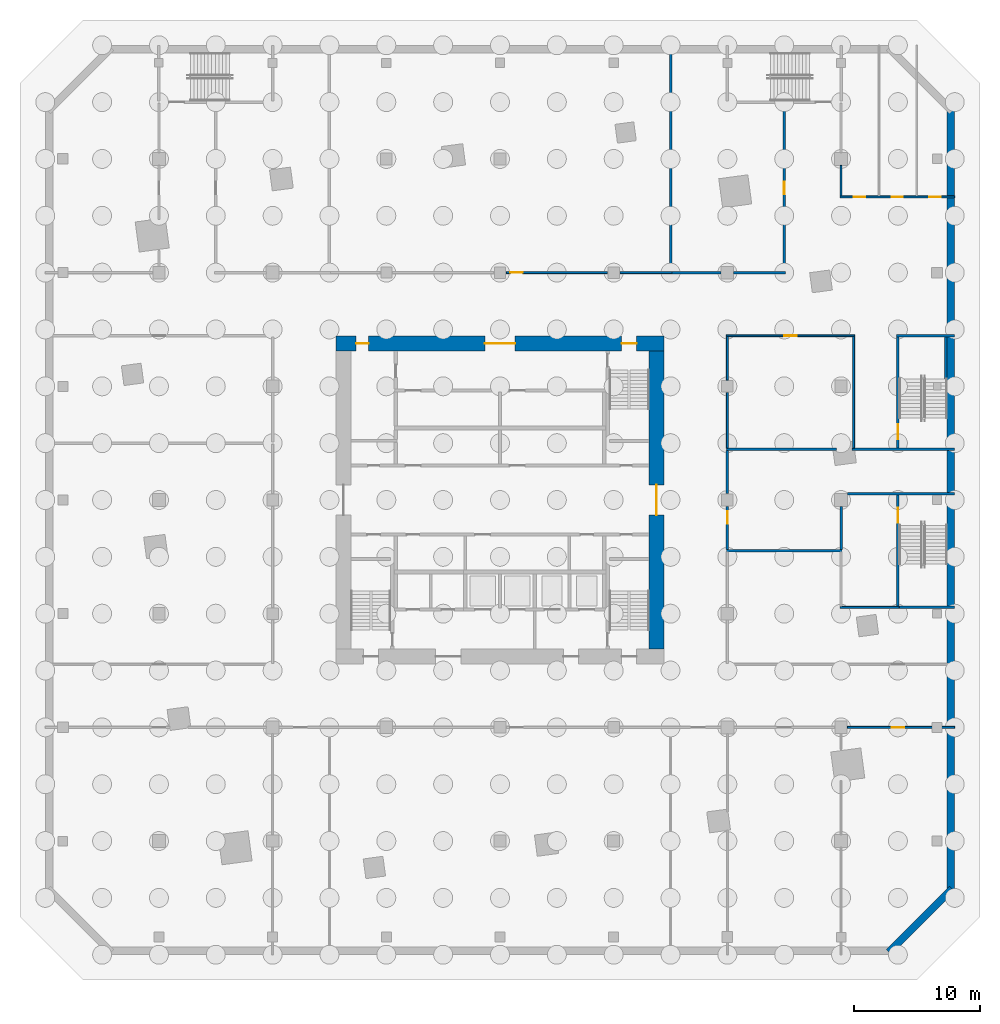
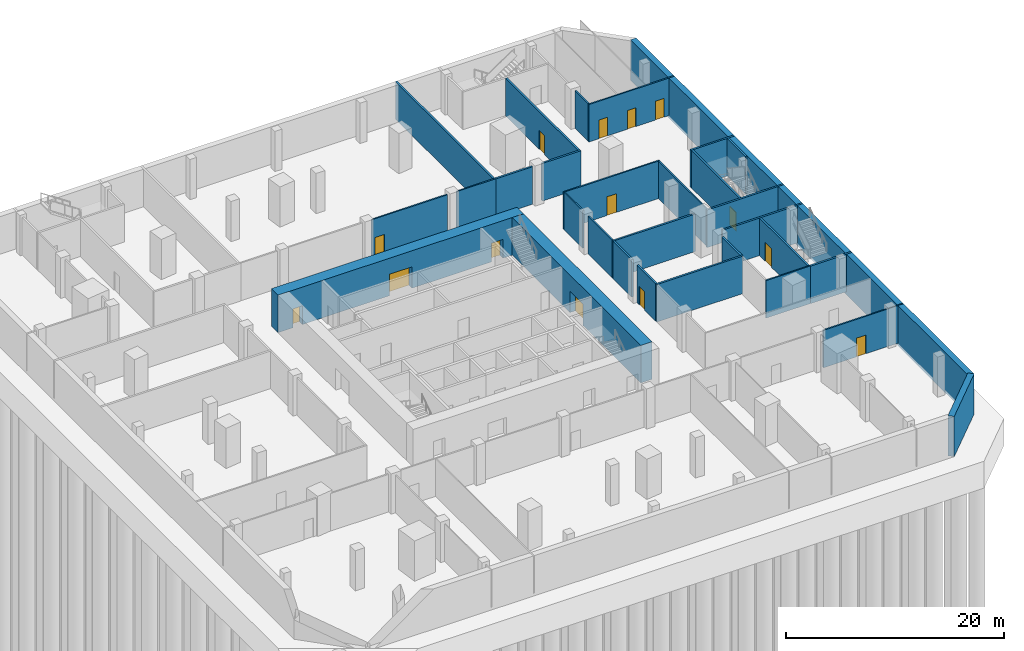
# One storey, part 6 of 12: 30 walls, 14 doors, 14 openings.
"""IFC4 building model written with IfcOpenShell, lengths in metres."""

from ifc_helpers import new_model, si_unit, direction, frame, frame_2d, origin, place, context, subcontext, project, spatial, rectangle, extrude, material, layer, layer_set, type_object, element, fill, save


model = new_model("IFC4")

# Units and contexts
model_context = context("Model", 3, precision=1e-05, world=origin(), true_north=direction((0.0, 1.0)))
body_context = subcontext(model_context, "Body", "Model", "MODEL_VIEW")
ifc_project = project(units=[si_unit("LENGTHUNIT", "METRE"), si_unit("AREAUNIT", "SQUARE_METRE"), si_unit("VOLUMEUNIT", "CUBIC_METRE"), si_unit("PLANEANGLEUNIT", "RADIAN"), si_unit("MASSUNIT", "GRAM", prefix="KILO")], contexts=[model_context])

# Site, building, storey
site_placement = place(None, origin())
site = spatial("IfcSite", under=ifc_project, at=site_placement, CompositionType="ELEMENT")
building_placement = place(site_placement, origin())
building = spatial("IfcBuilding", under=site, at=building_placement, Name="Dilmun Exchange Tower", CompositionType="ELEMENT")
storey_placement = place(building_placement, frame((0.0, 0.0, -9.0)))
storey = spatial("IfcBuildingStorey", under=building, at=storey_placement, Name="B2", CompositionType="ELEMENT", Elevation=-9.0)

# Wall, openings, doors
ifc_material_1 = material(Name="Concrete C80/95", Category="concrete")
ifc_layer_1 = layer(ifc_material_1, 1.199951171875)
ifc_layer_set_1 = layer_set([ifc_layer_1], Name="Concrete C80/95")
wall_type_1 = type_object("IfcWallType", Name="Core shear wall 1200 Concrete C80/95", PredefinedType="SHEAR", material=ifc_layer_set_1)
wall_1_placement = place(storey_placement, frame((-13.0, 12.39990234375, 0.0), z_axis=(0.0, 0.0, 1.0), x_axis=(1.0, 0.0, 0.0)))
wall_1 = element("IfcWall", 1, at=wall_1_placement, inside=storey, type_object=wall_type_1, Name="B2 core shear wall N", PredefinedType="SHEAR", context=body_context, shape_type="SweptSolid", body=[
    extrude(rectangle(XDim=26.0, YDim=1.199951171875, at=frame_2d((13.0, 0.0))), origin(), (0.0, 0.0, 1.0), 4.199951171875),
])
opening_1_placement = place(wall_1_placement, frame((11.800048828125, 0.0, 0.0)))
opening_1 = element("IfcOpeningElement", 2, at=opening_1_placement, cuts=wall_1, Name="Opening CD1", PredefinedType="OPENING", context=body_context, shape_type="SweptSolid", body=[
    extrude(rectangle(XDim=2.39990234375, YDim=2.39990234375, at=frame_2d((1.199951171875, 1.199951171875))), frame((0.0, 0.60986328125, 0.0), z_axis=(0.0, -1.0, 0.0), x_axis=(1.0, 0.0, 0.0)), (0.0, 0.0, 1.0), 1.219970703125),
])
opening_2_placement = place(wall_1_placement, frame((22.625, 0.0, 0.0)))
opening_2 = element("IfcOpeningElement", 3, at=opening_2_placement, cuts=wall_1, Name="Opening CD3", PredefinedType="OPENING", context=body_context, shape_type="SweptSolid", body=[
    extrude(rectangle(XDim=1.199951171875, YDim=2.10009765625, at=frame_2d((0.60009765625, 1.050048828125))), frame((0.0, 0.60986328125, 0.0), z_axis=(0.0, -1.0, 0.0), x_axis=(1.0, 0.0, 0.0)), (0.0, 0.0, 1.0), 1.219970703125),
])
opening_3_placement = place(wall_1_placement, frame((1.60009765625, 0.0, 0.0)))
opening_3 = element("IfcOpeningElement", 4, at=opening_3_placement, cuts=wall_1, Name="Opening CD4", PredefinedType="OPENING", context=body_context, shape_type="SweptSolid", body=[
    extrude(rectangle(XDim=1.0, YDim=2.10009765625, at=frame_2d((0.5, 1.050048828125))), frame((0.0, 0.60986328125, 0.0), z_axis=(0.0, -1.0, 0.0), x_axis=(1.0, 0.0, 0.0)), (0.0, 0.0, 1.0), 1.219970703125),
])
ifc_material_2 = material(Name="Fire-rated steel door set", Category="steel")
door_type_1 = type_object("IfcDoorType", Name="Core lobby door 2400x2400", OperationType="DOUBLE_DOOR_DOUBLE_SWING", PredefinedType="DOOR", material=ifc_material_2)
door_1_placement = place(opening_1_placement, origin())
door_1 = element("IfcDoor", 5, at=door_1_placement, inside=storey, type_object=door_type_1, Name="B2 door North lift lobby", OperationType="SINGLE_SWING_LEFT", OverallHeight=2.39990234375, OverallWidth=2.39990234375, PredefinedType="DOOR", context=body_context, shape_type="SweptSolid", body=[
    extrude(rectangle(XDim=2.39990234375, YDim=2.39990234375, at=frame_2d((1.199951171875, 1.199951171875))), frame((0.0, 0.02490234375, 0.0), z_axis=(0.0, -1.0, 0.0), x_axis=(1.0, 0.0, 0.0)), (0.0, 0.0, 1.0), 0.050048828125),
])
fill(opening_1, door_1)
door_type_2 = type_object("IfcDoorType", Name="Core room door 1000x2100", OperationType="SINGLE_SWING_LEFT", PredefinedType="DOOR", material=ifc_material_2)
door_2_placement = place(opening_3_placement, origin())
door_2 = element("IfcDoor", 6, at=door_2_placement, inside=storey, type_object=door_type_2, Name="B2 door North-west core rooms", OperationType="SINGLE_SWING_LEFT", OverallHeight=2.10009765625, OverallWidth=1.0, PredefinedType="DOOR", context=body_context, shape_type="SweptSolid", body=[
    extrude(rectangle(XDim=1.0, YDim=2.10009765625, at=frame_2d((0.5, 1.050048828125))), frame((0.0, 0.02490234375, 0.0), z_axis=(0.0, -1.0, 0.0), x_axis=(1.0, 0.0, 0.0)), (0.0, 0.0, 1.0), 0.050048828125),
])
fill(opening_3, door_2)
door_type_3 = type_object("IfcDoorType", Name="Stair exit door 1200x2100", OperationType="SINGLE_SWING_LEFT", PredefinedType="DOOR", material=ifc_material_2)
door_3_placement = place(opening_2_placement, origin())
door_3 = element("IfcDoor", 7, at=door_3_placement, inside=storey, type_object=door_type_3, Name="B2 door Stair ST1", OperationType="SINGLE_SWING_LEFT", OverallHeight=2.10009765625, OverallWidth=1.199951171875, PredefinedType="DOOR", context=body_context, shape_type="SweptSolid", body=[
    extrude(rectangle(XDim=1.199951171875, YDim=2.10009765625, at=frame_2d((0.60009765625, 1.050048828125))), frame((0.0, 0.02490234375, 0.0), z_axis=(0.0, -1.0, 0.0), x_axis=(1.0, 0.0, 0.0)), (0.0, 0.0, 1.0), 0.050048828125),
])
fill(opening_2, door_3)

# Wall, opening, door
wall_2_placement = place(storey_placement, frame((12.39990234375, -11.800048828125, 0.0), z_axis=(0.0, 0.0, 1.0), x_axis=(0.0, 1.0, 0.0)))
wall_2 = element("IfcWall", 8, at=wall_2_placement, inside=storey, type_object=wall_type_1, Name="B2 core shear wall E", PredefinedType="SHEAR", context=body_context, shape_type="SweptSolid", body=[
    extrude(rectangle(XDim=23.60009765625, YDim=1.199951171875, at=frame_2d((11.800048828125, 0.0))), origin(), (0.0, 0.0, 1.0), 4.199951171875),
])
opening_4_placement = place(wall_2_placement, frame((10.60009765625, 0.0, 0.0)))
opening_4 = element("IfcOpeningElement", 9, at=opening_4_placement, cuts=wall_2, Name="Opening CD1", PredefinedType="OPENING", context=body_context, shape_type="SweptSolid", body=[
    extrude(rectangle(XDim=2.39990234375, YDim=2.39990234375, at=frame_2d((1.199951171875, 1.199951171875))), frame((0.0, 0.60986328125, 0.0), z_axis=(0.0, -1.0, 0.0), x_axis=(1.0, 0.0, 0.0)), (0.0, 0.0, 1.0), 1.219970703125),
])
door_4_placement = place(opening_4_placement, origin())
door_4 = element("IfcDoor", 10, at=door_4_placement, inside=storey, type_object=door_type_1, Name="B2 door Central lift lobby", OperationType="SINGLE_SWING_LEFT", OverallHeight=2.39990234375, OverallWidth=2.39990234375, PredefinedType="DOOR", context=body_context, shape_type="SweptSolid", body=[
    extrude(rectangle(XDim=2.39990234375, YDim=2.39990234375, at=frame_2d((1.199951171875, 1.199951171875))), frame((0.0, 0.02490234375, 0.0), z_axis=(0.0, -1.0, 0.0), x_axis=(1.0, 0.0, 0.0)), (0.0, 0.0, 1.0), 0.050048828125),
])
fill(opening_4, door_4)

ifc_material_3 = material(Name="Fire partition EI 60 150 gypsum")
ifc_layer_2 = layer(ifc_material_3, 0.14990234375)
ifc_layer_set_2 = layer_set([ifc_layer_2], Name="Fire partition EI 60 150 gypsum")
wall_type_2 = type_object("IfcWallType", Name="Fire partition EI 60 150 gypsum", PredefinedType="PARTITIONING", material=ifc_layer_set_2)
wall_3_placement = place(storey_placement, frame((27.5, -18.0, 0.0), z_axis=(0.0, 0.0, 1.0), x_axis=(1.0, 0.0, 0.0)))
wall_3 = element("IfcWall", 11, at=wall_3_placement, inside=storey, type_object=wall_type_2, Name="B2 partition", PredefinedType="PARTITIONING", context=body_context, shape_type="SweptSolid", body=[
    extrude(rectangle(XDim=8.5, YDim=0.14990234375, at=frame_2d((4.25, 0.0))), origin(), (0.0, 0.0, 1.0), 4.199951171875),
])
opening_5_placement = place(wall_3_placement, frame((3.5, 0.0, 0.0)))
opening_5 = element("IfcOpeningElement", 12, at=opening_5_placement, cuts=wall_3, Name="Opening B2-D015", PredefinedType="OPENING", context=body_context, shape_type="SweptSolid", body=[
    extrude(rectangle(XDim=1.0, YDim=2.10009765625, at=frame_2d((0.5, 1.050048828125))), frame((0.0, 0.0849609375, 0.0), z_axis=(0.0, -1.0, 0.0), x_axis=(1.0, 0.0, 0.0)), (0.0, 0.0, 1.0), 0.169921875),
])
ifc_material_4 = material(Name="Fire door FD60 1000 x 2100")
door_type_4 = type_object("IfcDoorType", Name="Fire door FD60 1000 x 2100", OperationType="SINGLE_SWING_LEFT", PredefinedType="DOOR", material=ifc_material_4)
door_5_placement = place(opening_5_placement, origin())
door_5 = element("IfcDoor", 13, at=door_5_placement, inside=storey, type_object=door_type_4, Name="B2 door B2-D015", OperationType="SINGLE_SWING_LEFT", OverallHeight=2.10009765625, OverallWidth=1.0, PredefinedType="DOOR", context=body_context, shape_type="SweptSolid", body=[
    extrude(rectangle(XDim=1.0, YDim=2.10009765625, at=frame_2d((0.5, 1.050048828125))), frame((0.0, 0.02490234375, 0.0), z_axis=(0.0, -1.0, 0.0), x_axis=(1.0, 0.0, 0.0)), (0.0, 0.0, 1.0), 0.050048828125),
])
fill(opening_5, door_5)

# Wall
wall_4_placement = place(storey_placement, frame((26.925048828125, -8.5, 0.0), z_axis=(0.0, 0.0, 1.0), x_axis=(1.0, 0.0, 0.0)))
element("IfcWall", 14, at=wall_4_placement, inside=storey, type_object=wall_type_2, Name="B2 partition", PredefinedType="PARTITIONING", context=body_context, shape_type="SweptSolid", body=[
    extrude(rectangle(XDim=4.675048828125, YDim=0.14990234375, at=frame_2d((2.33740234375, 0.0))), origin(), (0.0, 0.0, 1.0), 4.199951171875),
])

# Wall, opening, door
wall_5_placement = place(storey_placement, frame((17.925048828125, 13.0, 0.0), z_axis=(0.0, 0.0, 1.0), x_axis=(1.0, 0.0, 0.0)))
wall_5 = element("IfcWall", 15, at=wall_5_placement, inside=storey, type_object=wall_type_2, Name="B2 partition", PredefinedType="PARTITIONING", context=body_context, shape_type="SweptSolid", body=[
    extrude(rectangle(XDim=10.14990234375, YDim=0.14990234375, at=frame_2d((5.074951171875, 0.0))), origin(), (0.0, 0.0, 1.0), 4.199951171875),
])
opening_6_placement = place(wall_5_placement, frame((4.574951171875, 0.0, 0.0)))
opening_6 = element("IfcOpeningElement", 16, at=opening_6_placement, cuts=wall_5, Name="Opening B2-D020", PredefinedType="OPENING", context=body_context, shape_type="SweptSolid", body=[
    extrude(rectangle(XDim=1.0, YDim=2.10009765625, at=frame_2d((0.5, 1.050048828125))), frame((0.0, 0.0849609375, 0.0), z_axis=(0.0, -1.0, 0.0), x_axis=(1.0, 0.0, 0.0)), (0.0, 0.0, 1.0), 0.169921875),
])
door_6_placement = place(opening_6_placement, origin())
door_6 = element("IfcDoor", 17, at=door_6_placement, inside=storey, type_object=door_type_4, Name="B2 door B2-D020", OperationType="SINGLE_SWING_RIGHT", OverallHeight=2.10009765625, OverallWidth=1.0, PredefinedType="DOOR", context=body_context, shape_type="SweptSolid", body=[
    extrude(rectangle(XDim=1.0, YDim=2.10009765625, at=frame_2d((0.5, 1.050048828125))), frame((0.0, 0.02490234375, 0.0), z_axis=(0.0, -1.0, 0.0), x_axis=(1.0, 0.0, 0.0)), (0.0, 0.0, 1.0), 0.050048828125),
])
fill(opening_6, door_6)

wall_6_placement = place(storey_placement, frame((0.5, 18.0, 0.0), z_axis=(0.0, 0.0, 1.0), x_axis=(1.0, 0.0, 0.0)))
wall_6 = element("IfcWall", 18, at=wall_6_placement, inside=storey, type_object=wall_type_2, Name="B2 partition", PredefinedType="PARTITIONING", context=body_context, shape_type="SweptSolid", body=[
    extrude(rectangle(XDim=8.0, YDim=0.14990234375, at=frame_2d((4.0, 0.0))), origin(), (0.0, 0.0, 1.0), 4.199951171875),
])
opening_7_placement = place(wall_6_placement, frame((0.300048828125, 0.0, 0.0)))
opening_7 = element("IfcOpeningElement", 19, at=opening_7_placement, cuts=wall_6, Name="Opening B2-D009", PredefinedType="OPENING", context=body_context, shape_type="SweptSolid", body=[
    extrude(rectangle(XDim=1.0, YDim=2.10009765625, at=frame_2d((0.5, 1.050048828125))), frame((0.0, 0.0849609375, 0.0), z_axis=(0.0, -1.0, 0.0), x_axis=(1.0, 0.0, 0.0)), (0.0, 0.0, 1.0), 0.169921875),
])
door_7_placement = place(opening_7_placement, origin())
door_7 = element("IfcDoor", 20, at=door_7_placement, inside=storey, type_object=door_type_4, Name="B2 door B2-D009", OperationType="SINGLE_SWING_LEFT", OverallHeight=2.10009765625, OverallWidth=1.0, PredefinedType="DOOR", context=body_context, shape_type="SweptSolid", body=[
    extrude(rectangle(XDim=1.0, YDim=2.10009765625, at=frame_2d((0.5, 1.050048828125))), frame((0.0, 0.02490234375, 0.0), z_axis=(0.0, -1.0, 0.0), x_axis=(1.0, 0.0, 0.0)), (0.0, 0.0, 1.0), 0.050048828125),
])
fill(opening_7, door_7)

# Wall
wall_7_placement = place(storey_placement, frame((9.5, 18.0, 0.0), z_axis=(0.0, 0.0, 1.0), x_axis=(1.0, 0.0, 0.0)))
element("IfcWall", 21, at=wall_7_placement, inside=storey, type_object=wall_type_2, Name="B2 partition", PredefinedType="PARTITIONING", context=body_context, shape_type="SweptSolid", body=[
    extrude(rectangle(XDim=4.10009765625, YDim=0.14990234375, at=frame_2d((2.050048828125, 0.0))), origin(), (0.0, 0.0, 1.0), 4.199951171875),
])

# Wall, openings, doors
wall_8_placement = place(storey_placement, frame((26.925048828125, 24.0, 0.0), z_axis=(0.0, 0.0, 1.0), x_axis=(1.0, 0.0, 0.0)))
wall_8 = element("IfcWall", 22, at=wall_8_placement, inside=storey, type_object=wall_type_2, Name="B2 partition", PredefinedType="PARTITIONING", context=body_context, shape_type="SweptSolid", body=[
    extrude(rectangle(XDim=9.074951171875, YDim=0.14990234375, at=frame_2d((4.53759765625, 0.0))), origin(), (0.0, 0.0, 1.0), 4.199951171875),
])
opening_8_placement = place(wall_8_placement, frame((1.074951171875, 0.0, 0.0)))
opening_8 = element("IfcOpeningElement", 23, at=opening_8_placement, cuts=wall_8, Name="Opening B2-D005", PredefinedType="OPENING", context=body_context, shape_type="SweptSolid", body=[
    extrude(rectangle(XDim=0.89990234375, YDim=2.10009765625, at=frame_2d((0.449951171875, 1.050048828125))), frame((0.0, 0.0849609375, 0.0), z_axis=(0.0, -1.0, 0.0), x_axis=(1.0, 0.0, 0.0)), (0.0, 0.0, 1.0), 0.169921875),
])
opening_9_placement = place(wall_8_placement, frame((4.074951171875, 0.0, 0.0)))
opening_9 = element("IfcOpeningElement", 24, at=opening_9_placement, cuts=wall_8, Name="Opening B2-D006", PredefinedType="OPENING", context=body_context, shape_type="SweptSolid", body=[
    extrude(rectangle(XDim=0.89990234375, YDim=2.10009765625, at=frame_2d((0.449951171875, 1.050048828125))), frame((0.0, 0.0849609375, 0.0), z_axis=(0.0, -1.0, 0.0), x_axis=(1.0, 0.0, 0.0)), (0.0, 0.0, 1.0), 0.169921875),
])
opening_10_placement = place(wall_8_placement, frame((7.074951171875, 0.0, 0.0)))
opening_10 = element("IfcOpeningElement", 25, at=opening_10_placement, cuts=wall_8, Name="Opening B2-D007", PredefinedType="OPENING", context=body_context, shape_type="SweptSolid", body=[
    extrude(rectangle(XDim=0.89990234375, YDim=2.10009765625, at=frame_2d((0.449951171875, 1.050048828125))), frame((0.0, 0.0849609375, 0.0), z_axis=(0.0, -1.0, 0.0), x_axis=(1.0, 0.0, 0.0)), (0.0, 0.0, 1.0), 0.169921875),
])
ifc_material_5 = material(Name="Door 900 x 2100")
door_type_5 = type_object("IfcDoorType", Name="Door 900 x 2100", OperationType="SINGLE_SWING_LEFT", PredefinedType="DOOR", material=ifc_material_5)
door_8_placement = place(opening_8_placement, origin())
door_8 = element("IfcDoor", 26, at=door_8_placement, inside=storey, type_object=door_type_5, Name="B2 door B2-D005", OperationType="SINGLE_SWING_LEFT", OverallHeight=2.10009765625, OverallWidth=0.89990234375, PredefinedType="DOOR", context=body_context, shape_type="SweptSolid", body=[
    extrude(rectangle(XDim=0.89990234375, YDim=2.10009765625, at=frame_2d((0.449951171875, 1.050048828125))), frame((0.0, 0.02490234375, 0.0), z_axis=(0.0, -1.0, 0.0), x_axis=(1.0, 0.0, 0.0)), (0.0, 0.0, 1.0), 0.050048828125),
])
fill(opening_8, door_8)
door_9_placement = place(opening_9_placement, origin())
door_9 = element("IfcDoor", 27, at=door_9_placement, inside=storey, type_object=door_type_5, Name="B2 door B2-D006", OperationType="SINGLE_SWING_RIGHT", OverallHeight=2.10009765625, OverallWidth=0.89990234375, PredefinedType="DOOR", context=body_context, shape_type="SweptSolid", body=[
    extrude(rectangle(XDim=0.89990234375, YDim=2.10009765625, at=frame_2d((0.449951171875, 1.050048828125))), frame((0.0, 0.02490234375, 0.0), z_axis=(0.0, -1.0, 0.0), x_axis=(1.0, 0.0, 0.0)), (0.0, 0.0, 1.0), 0.050048828125),
])
fill(opening_9, door_9)
door_10_placement = place(opening_10_placement, origin())
door_10 = element("IfcDoor", 28, at=door_10_placement, inside=storey, type_object=door_type_5, Name="B2 door B2-D007", OperationType="SINGLE_SWING_LEFT", OverallHeight=2.10009765625, OverallWidth=0.89990234375, PredefinedType="DOOR", context=body_context, shape_type="SweptSolid", body=[
    extrude(rectangle(XDim=0.89990234375, YDim=2.10009765625, at=frame_2d((0.449951171875, 1.050048828125))), frame((0.0, 0.02490234375, 0.0), z_axis=(0.0, -1.0, 0.0), x_axis=(1.0, 0.0, 0.0)), (0.0, 0.0, 1.0), 0.050048828125),
])
fill(opening_10, door_10)

# Walls
wall_9_placement = place(storey_placement, frame((18.0, 4.10009765625, 0.0), z_axis=(0.0, 0.0, 1.0), x_axis=(0.0, 1.0, 0.0)))
element("IfcWall", 29, at=wall_9_placement, inside=storey, type_object=wall_type_2, Name="B2 partition", PredefinedType="PARTITIONING", context=body_context, shape_type="SweptSolid", body=[
    extrude(rectangle(XDim=4.39990234375, YDim=0.14990234375, at=frame_2d((2.199951171875, 0.0))), origin(), (0.0, 0.0, 1.0), 4.199951171875),
])
wall_10_placement = place(storey_placement, frame((18.0, 9.5, 0.0), z_axis=(0.0, 0.0, 1.0), x_axis=(0.0, 1.0, 0.0)))
element("IfcWall", 30, at=wall_10_placement, inside=storey, type_object=wall_type_2, Name="B2 partition", PredefinedType="PARTITIONING", context=body_context, shape_type="SweptSolid", body=[
    extrude(rectangle(XDim=3.425048828125, YDim=0.14990234375, at=frame_2d((1.71240234375, 0.0))), origin(), (0.0, 0.0, 1.0), 4.199951171875),
])
wall_11_placement = place(storey_placement, frame((27.0, 24.074951171875, 0.0), z_axis=(0.0, 0.0, 1.0), x_axis=(0.0, 1.0, 0.0)))
element("IfcWall", 31, at=wall_11_placement, inside=storey, type_object=wall_type_2, Name="B2 partition", PredefinedType="PARTITIONING", context=body_context, shape_type="SweptSolid", body=[
    extrude(rectangle(XDim=2.425048828125, YDim=0.14990234375, at=frame_2d((1.21240234375, 0.0))), origin(), (0.0, 0.0, 1.0), 4.199951171875),
])
wall_12_placement = place(storey_placement, frame((28.0, 4.10009765625, 0.0), z_axis=(0.0, 0.0, 1.0), x_axis=(0.0, 1.0, 0.0)))
element("IfcWall", 32, at=wall_12_placement, inside=storey, type_object=wall_type_2, Name="B2 partition", PredefinedType="PARTITIONING", context=body_context, shape_type="SweptSolid", body=[
    extrude(rectangle(XDim=8.824951171875, YDim=0.14990234375, at=frame_2d((4.41259765625, 0.0))), origin(), (0.0, 0.0, 1.0), 4.199951171875),
])
ifc_material_6 = material(Name="Fire wall EI 120 200 blockwork", Category="masonry")
ifc_layer_3 = layer(ifc_material_6, 0.199951171875)
ifc_layer_set_3 = layer_set([ifc_layer_3], Name="Fire wall EI 120 200 blockwork")
wall_type_3 = type_object("IfcWallType", Name="Fire wall EI 120 200 blockwork", PredefinedType="PARTITIONING", material=ifc_layer_set_3)
wall_13_placement = place(storey_placement, frame((31.60009765625, -8.5, 0.0), z_axis=(0.0, 0.0, 1.0), x_axis=(1.0, 0.0, 0.0)))
element("IfcWall", 33, at=wall_13_placement, inside=storey, type_object=wall_type_3, Name="B2 stair wall", PredefinedType="PARTITIONING", context=body_context, shape_type="SweptSolid", body=[
    extrude(rectangle(XDim=4.39990234375, YDim=0.199951171875, at=frame_2d((2.199951171875, 0.0))), origin(), (0.0, 0.0, 1.0), 4.199951171875),
])
wall_14_placement = place(storey_placement, frame((17.925048828125, -4.0, 0.0), z_axis=(0.0, 0.0, 1.0), x_axis=(1.0, 0.0, 0.0)))
element("IfcWall", 34, at=wall_14_placement, inside=storey, type_object=wall_type_3, Name="B2 partition", PredefinedType="PARTITIONING", context=body_context, shape_type="SweptSolid", body=[
    extrude(rectangle(XDim=9.14990234375, YDim=0.199951171875, at=frame_2d((4.574951171875, 0.0))), origin(), (0.0, 0.0, 1.0), 4.199951171875),
])
wall_15_placement = place(storey_placement, frame((27.5, 0.5, 0.0), z_axis=(0.0, 0.0, 1.0), x_axis=(1.0, 0.0, 0.0)))
element("IfcWall", 35, at=wall_15_placement, inside=storey, type_object=wall_type_3, Name="B2 stair wall", PredefinedType="PARTITIONING", context=body_context, shape_type="SweptSolid", body=[
    extrude(rectangle(XDim=8.5, YDim=0.199951171875, at=frame_2d((4.25, 0.0))), origin(), (0.0, 0.0, 1.0), 4.199951171875),
])
wall_16_placement = place(storey_placement, frame((17.925048828125, 4.0, 0.0), z_axis=(0.0, 0.0, 1.0), x_axis=(1.0, 0.0, 0.0)))
element("IfcWall", 36, at=wall_16_placement, inside=storey, type_object=wall_type_3, Name="B2 stair wall", PredefinedType="PARTITIONING", context=body_context, shape_type="SweptSolid", body=[
    extrude(rectangle(XDim=8.715576171875, YDim=0.199951171875, at=frame_2d((4.35791015625, 0.0))), origin(), (0.0, 0.0, 1.0), 4.199951171875),
])
wall_17_placement = place(storey_placement, frame((27.865478515625, 4.0, 0.0), z_axis=(0.0, 0.0, 1.0), x_axis=(1.0, 0.0, 0.0)))
element("IfcWall", 37, at=wall_17_placement, inside=storey, type_object=wall_type_3, Name="B2 stair wall", PredefinedType="PARTITIONING", context=body_context, shape_type="SweptSolid", body=[
    extrude(rectangle(XDim=8.134521484375, YDim=0.199951171875, at=frame_2d((4.0673828125, 0.0))), origin(), (0.0, 0.0, 1.0), 4.199951171875),
])
wall_18_placement = place(storey_placement, frame((31.39990234375, 13.0, 0.0), z_axis=(0.0, 0.0, 1.0), x_axis=(1.0, 0.0, 0.0)))
element("IfcWall", 38, at=wall_18_placement, inside=storey, type_object=wall_type_3, Name="B2 stair wall", PredefinedType="PARTITIONING", context=body_context, shape_type="SweptSolid", body=[
    extrude(rectangle(XDim=4.60009765625, YDim=0.199951171875, at=frame_2d((2.300048828125, 0.0))), origin(), (0.0, 0.0, 1.0), 4.199951171875),
])
wall_19_placement = place(storey_placement, frame((13.60009765625, 18.0, 0.0), z_axis=(0.0, 0.0, 1.0), x_axis=(1.0, 0.0, 0.0)))
element("IfcWall", 39, at=wall_19_placement, inside=storey, type_object=wall_type_3, Name="B2 partition", PredefinedType="PARTITIONING", context=body_context, shape_type="SweptSolid", body=[
    extrude(rectangle(XDim=3.89990234375, YDim=0.199951171875, at=frame_2d((1.949951171875, 0.0))), origin(), (0.0, 0.0, 1.0), 4.199951171875),
])
wall_20_placement = place(storey_placement, frame((18.5, 18.0, 0.0), z_axis=(0.0, 0.0, 1.0), x_axis=(1.0, 0.0, 0.0)))
element("IfcWall", 40, at=wall_20_placement, inside=storey, type_object=wall_type_3, Name="B2 partition", PredefinedType="PARTITIONING", context=body_context, shape_type="SweptSolid", body=[
    extrude(rectangle(XDim=4.10009765625, YDim=0.199951171875, at=frame_2d((2.050048828125, 0.0))), origin(), (0.0, 0.0, 1.0), 4.199951171875),
])
wall_21_placement = place(storey_placement, frame((13.5, 18.10009765625, 0.0), z_axis=(0.0, 0.0, 1.0), x_axis=(0.0, 1.0, 0.0)))
element("IfcWall", 41, at=wall_21_placement, inside=storey, type_object=wall_type_3, Name="B2 partition", PredefinedType="PARTITIONING", context=body_context, shape_type="SweptSolid", body=[
    extrude(rectangle(XDim=17.89990234375, YDim=0.199951171875, at=frame_2d((8.949951171875, 0.0))), origin(), (0.0, 0.0, 1.0), 4.199951171875),
])

# Wall, opening, door
wall_22_placement = place(storey_placement, frame((18.0, -3.89990234375, 0.0), z_axis=(0.0, 0.0, 1.0), x_axis=(0.0, 1.0, 0.0)))
wall_22 = element("IfcWall", 42, at=wall_22_placement, inside=storey, type_object=wall_type_3, Name="B2 partition", PredefinedType="PARTITIONING", context=body_context, shape_type="SweptSolid", body=[
    extrude(rectangle(XDim=3.39990234375, YDim=0.199951171875, at=frame_2d((1.699951171875, 0.0))), origin(), (0.0, 0.0, 1.0), 4.199951171875),
])
opening_11_placement = place(wall_22_placement, frame((2.0, 0.0, 0.0)))
opening_11 = element("IfcOpeningElement", 43, at=opening_11_placement, cuts=wall_22, Name="Opening B2-D019", PredefinedType="OPENING", context=body_context, shape_type="SweptSolid", body=[
    extrude(rectangle(XDim=1.0, YDim=2.10009765625, at=frame_2d((0.5, 1.050048828125))), frame((0.0, 0.10986328125, 0.0), z_axis=(0.0, -1.0, 0.0), x_axis=(1.0, 0.0, 0.0)), (0.0, 0.0, 1.0), 0.219970703125),
])
door_11_placement = place(opening_11_placement, origin())
door_11 = element("IfcDoor", 44, at=door_11_placement, inside=storey, type_object=door_type_4, Name="B2 door B2-D019", OperationType="SINGLE_SWING_LEFT", OverallHeight=2.10009765625, OverallWidth=1.0, PredefinedType="DOOR", context=body_context, shape_type="SweptSolid", body=[
    extrude(rectangle(XDim=1.0, YDim=2.10009765625, at=frame_2d((0.5, 1.050048828125))), frame((0.0, 0.02490234375, 0.0), z_axis=(0.0, -1.0, 0.0), x_axis=(1.0, 0.0, 0.0)), (0.0, 0.0, 1.0), 0.050048828125),
])
fill(opening_11, door_11)

# Wall
wall_23_placement = place(storey_placement, frame((18.0, 0.5, 0.0), z_axis=(0.0, 0.0, 1.0), x_axis=(0.0, 1.0, 0.0)))
element("IfcWall", 45, at=wall_23_placement, inside=storey, type_object=wall_type_3, Name="B2 partition", PredefinedType="PARTITIONING", context=body_context, shape_type="SweptSolid", body=[
    extrude(rectangle(XDim=3.39990234375, YDim=0.199951171875, at=frame_2d((1.699951171875, 0.0))), origin(), (0.0, 0.0, 1.0), 4.199951171875),
])

# Wall, opening, door
wall_24_placement = place(storey_placement, frame((22.5, 18.10009765625, 0.0), z_axis=(0.0, 0.0, 1.0), x_axis=(0.0, 1.0, 0.0)))
wall_24 = element("IfcWall", 46, at=wall_24_placement, inside=storey, type_object=wall_type_3, Name="B2 partition", PredefinedType="PARTITIONING", context=body_context, shape_type="SweptSolid", body=[
    extrude(rectangle(XDim=13.2998046875, YDim=0.199951171875, at=frame_2d((6.64990234375, 0.0))), origin(), (0.0, 0.0, 1.0), 4.199951171875),
])
opening_12_placement = place(wall_24_placement, frame((6.10009765625, 0.0, 0.0)))
opening_12 = element("IfcOpeningElement", 47, at=opening_12_placement, cuts=wall_24, Name="Opening B2-D022", PredefinedType="OPENING", context=body_context, shape_type="SweptSolid", body=[
    extrude(rectangle(XDim=1.0, YDim=2.10009765625, at=frame_2d((0.5, 1.050048828125))), frame((0.0, 0.10986328125, 0.0), z_axis=(0.0, -1.0, 0.0), x_axis=(1.0, 0.0, 0.0)), (0.0, 0.0, 1.0), 0.219970703125),
])
door_12_placement = place(opening_12_placement, origin())
door_12 = element("IfcDoor", 48, at=door_12_placement, inside=storey, type_object=door_type_4, Name="B2 door B2-D022", OperationType="SINGLE_SWING_RIGHT", OverallHeight=2.10009765625, OverallWidth=1.0, PredefinedType="DOOR", context=body_context, shape_type="SweptSolid", body=[
    extrude(rectangle(XDim=1.0, YDim=2.10009765625, at=frame_2d((0.5, 1.050048828125))), frame((0.0, 0.02490234375, 0.0), z_axis=(0.0, -1.0, 0.0), x_axis=(1.0, 0.0, 0.0)), (0.0, 0.0, 1.0), 0.050048828125),
])
fill(opening_12, door_12)

# Wall
wall_25_placement = place(storey_placement, frame((27.0, -3.89990234375, 0.0), z_axis=(0.0, 0.0, 1.0), x_axis=(0.0, 1.0, 0.0)))
element("IfcWall", 49, at=wall_25_placement, inside=storey, type_object=wall_type_3, Name="B2 partition", PredefinedType="PARTITIONING", context=body_context, shape_type="SweptSolid", body=[
    extrude(rectangle(XDim=3.39990234375, YDim=0.199951171875, at=frame_2d((1.699951171875, 0.0))), origin(), (0.0, 0.0, 1.0), 4.199951171875),
])

# Wall, opening, door
wall_26_placement = place(storey_placement, frame((31.5, -8.39990234375, 0.0), z_axis=(0.0, 0.0, 1.0), x_axis=(0.0, 1.0, 0.0)))
wall_26 = element("IfcWall", 50, at=wall_26_placement, inside=storey, type_object=wall_type_3, Name="B2 stair wall", PredefinedType="PARTITIONING", context=body_context, shape_type="SweptSolid", body=[
    extrude(rectangle(XDim=8.7998046875, YDim=0.199951171875, at=frame_2d((4.39990234375, 0.0))), origin(), (0.0, 0.0, 1.0), 4.199951171875),
])
opening_13_placement = place(wall_26_placement, frame((6.60009765625, 0.0, 0.0)))
opening_13 = element("IfcOpeningElement", 51, at=opening_13_placement, cuts=wall_26, Name="Opening B2-D003", PredefinedType="OPENING", context=body_context, shape_type="SweptSolid", body=[
    extrude(rectangle(XDim=1.199951171875, YDim=2.10009765625, at=frame_2d((0.60009765625, 1.050048828125))), frame((0.0, 0.10986328125, 0.0), z_axis=(0.0, -1.0, 0.0), x_axis=(1.0, 0.0, 0.0)), (0.0, 0.0, 1.0), 0.219970703125),
])
ifc_material_7 = material(Name="Stair door FD90 1200 x 2100")
door_type_6 = type_object("IfcDoorType", Name="Stair door FD90 1200 x 2100", OperationType="SINGLE_SWING_LEFT", PredefinedType="DOOR", material=ifc_material_7)
door_13_placement = place(opening_13_placement, frame((1.199951171875, 0.0, 0.0), z_axis=(0.0, 0.0, 1.0), x_axis=(-1.0, 0.0, 0.0)))
door_13 = element("IfcDoor", 52, at=door_13_placement, inside=storey, type_object=door_type_6, Name="B2 door B2-D003", OperationType="SINGLE_SWING_LEFT", OverallHeight=2.10009765625, OverallWidth=1.199951171875, PredefinedType="DOOR", context=body_context, shape_type="SweptSolid", body=[
    extrude(rectangle(XDim=1.199951171875, YDim=2.10009765625, at=frame_2d((0.60009765625, 1.050048828125))), frame((0.0, 0.02490234375, 0.0), z_axis=(0.0, -1.0, 0.0), x_axis=(1.0, 0.0, 0.0)), (0.0, 0.0, 1.0), 0.050048828125),
])
fill(opening_13, door_13)

wall_27_placement = place(storey_placement, frame((31.5, 4.10009765625, 0.0), z_axis=(0.0, 0.0, 1.0), x_axis=(0.0, 1.0, 0.0)))
wall_27 = element("IfcWall", 53, at=wall_27_placement, inside=storey, type_object=wall_type_3, Name="B2 stair wall", PredefinedType="PARTITIONING", context=body_context, shape_type="SweptSolid", body=[
    extrude(rectangle(XDim=8.7998046875, YDim=0.199951171875, at=frame_2d((4.39990234375, 0.0))), origin(), (0.0, 0.0, 1.0), 4.199951171875),
])
opening_14_placement = place(wall_27_placement, frame((0.699951171875, 0.0, 0.0)))
opening_14 = element("IfcOpeningElement", 54, at=opening_14_placement, cuts=wall_27, Name="Opening B2-D004", PredefinedType="OPENING", context=body_context, shape_type="SweptSolid", body=[
    extrude(rectangle(XDim=1.199951171875, YDim=2.10009765625, at=frame_2d((0.60009765625, 1.050048828125))), frame((0.0, 0.10986328125, 0.0), z_axis=(0.0, -1.0, 0.0), x_axis=(1.0, 0.0, 0.0)), (0.0, 0.0, 1.0), 0.219970703125),
])
door_14_placement = place(opening_14_placement, frame((1.199951171875, 0.0, 0.0), z_axis=(0.0, 0.0, 1.0), x_axis=(-1.0, 0.0, 0.0)))
door_14 = element("IfcDoor", 55, at=door_14_placement, inside=storey, type_object=door_type_6, Name="B2 door B2-D004", OperationType="SINGLE_SWING_RIGHT", OverallHeight=2.10009765625, OverallWidth=1.199951171875, PredefinedType="DOOR", context=body_context, shape_type="SweptSolid", body=[
    extrude(rectangle(XDim=1.199951171875, YDim=2.10009765625, at=frame_2d((0.60009765625, 1.050048828125))), frame((0.0, 0.02490234375, 0.0), z_axis=(0.0, -1.0, 0.0), x_axis=(1.0, 0.0, 0.0)), (0.0, 0.0, 1.0), 0.050048828125),
])
fill(opening_14, door_14)

# Walls
wall_28_placement = place(storey_placement, frame((35.298095703125, 9.58056640625, 0.0), z_axis=(0.0, 0.0, 1.0), x_axis=(0.0, 1.0, 0.0)))
element("IfcWall", 56, at=wall_28_placement, inside=storey, type_object=wall_type_3, Name="B2 stair landing wall", PredefinedType="PARTITIONING", context=body_context, shape_type="SweptSolid", body=[
    extrude(rectangle(XDim=3.309326171875, YDim=0.199951171875, at=frame_2d((1.65478515625, 0.0))), origin(), (0.0, 0.0, 1.0), 4.199951171875),
])
ifc_material_8 = material(Name="Concrete C40/50", Category="concrete")
ifc_layer_4 = layer(ifc_material_8, 0.60009765625)
ifc_layer_set_4 = layer_set([ifc_layer_4], Name="Concrete C40/50")
wall_type_4 = type_object("IfcWallType", Name="RC basement wall 600", PredefinedType="SOLIDWALL", material=ifc_layer_set_4)
wall_29_placement = place(storey_placement, frame((30.787841796875, -35.787841796875, -0.300048828125), z_axis=(0.0, 0.0, 1.0), x_axis=(0.707106781187, 0.707106781187, 0.0)))
element("IfcWall", 57, at=wall_29_placement, inside=storey, type_object=wall_type_4, Name="Basement retaining wall", PredefinedType="SOLIDWALL", context=body_context, shape_type="SweptSolid", body=[
    extrude(rectangle(XDim=7.071044921875, YDim=0.60009765625, at=frame_2d((3.53564453125, 0.0))), origin(), (0.0, 0.0, 1.0), 4.5),
])
wall_30_placement = place(storey_placement, frame((35.699951171875, -31.0, -0.300048828125), z_axis=(0.0, 0.0, 1.0), x_axis=(0.0, 1.0, 0.0)))
element("IfcWall", 58, at=wall_30_placement, inside=storey, type_object=wall_type_4, Name="Basement retaining wall", PredefinedType="SOLIDWALL", context=body_context, shape_type="SweptSolid", body=[
    extrude(rectangle(XDim=62.0, YDim=0.60009765625, at=frame_2d((31.0, 0.0))), origin(), (0.0, 0.0, 1.0), 4.5),
])

save(model, "model.ifc")
